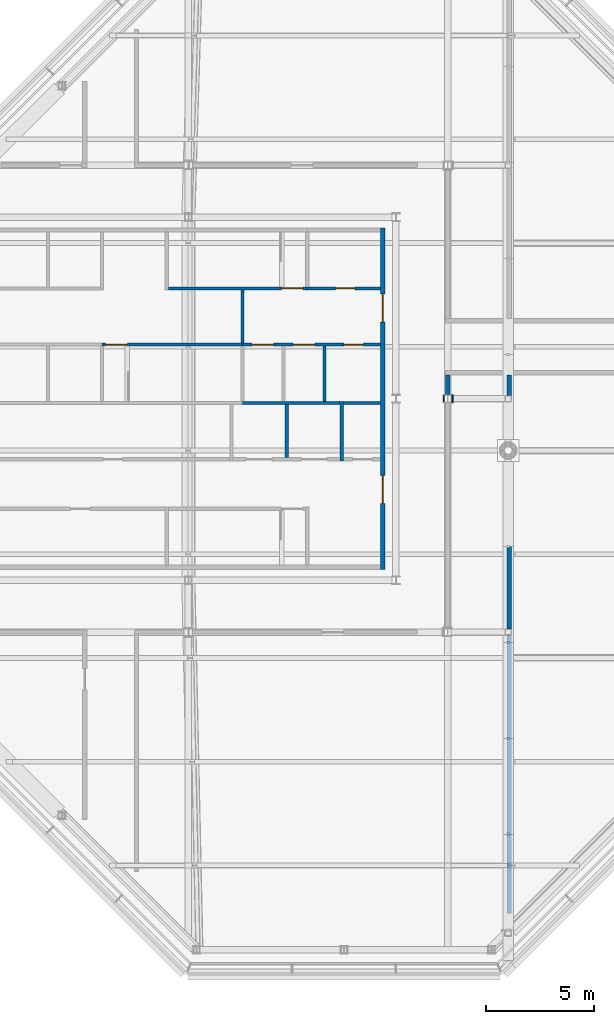
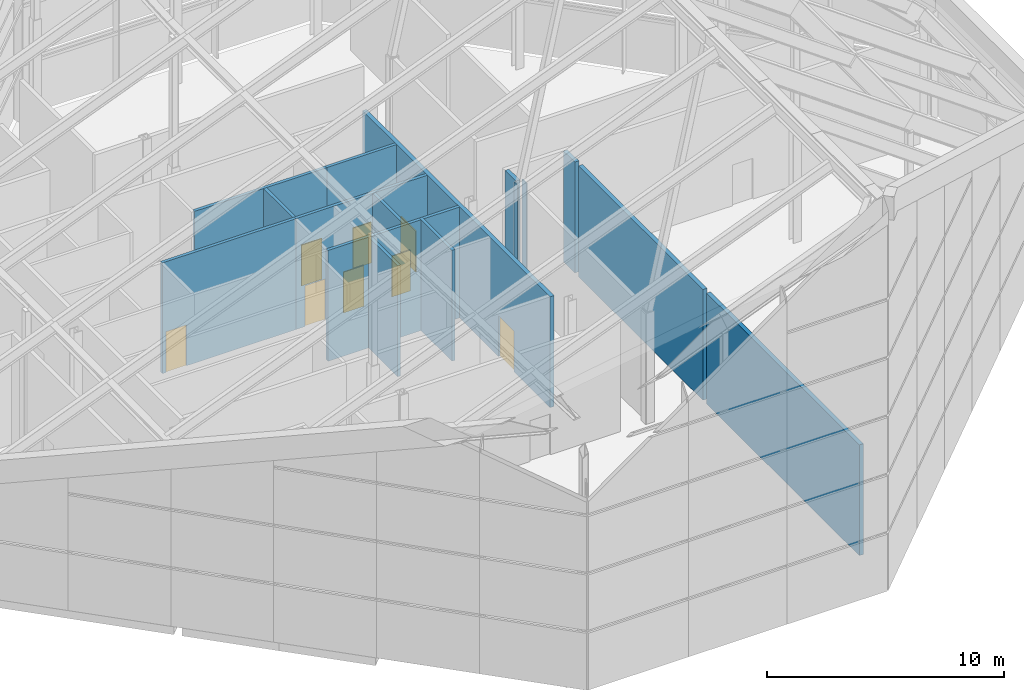
# One storey, part 18 of 21: 17 walls, 8 doors, 8 openings.
"""IFC4 building model written with IfcOpenShell, lengths in metres."""

from ifc_helpers import new_model, si_unit, direction, frame, frame_2d, origin, place, context, subcontext, project, spatial, rectangle, extrude, material, layer, layer_set, type_object, element, fill, save


model = new_model("IFC4")

# Units and contexts
model_context = context("Model", 3, precision=1e-05, world=origin(), true_north=direction((0.0, 1.0)))
body_context = subcontext(model_context, "Body", "Model", "MODEL_VIEW")
ifc_project = project(units=[si_unit("LENGTHUNIT", "METRE"), si_unit("AREAUNIT", "SQUARE_METRE"), si_unit("VOLUMEUNIT", "CUBIC_METRE"), si_unit("PLANEANGLEUNIT", "RADIAN"), si_unit("MASSUNIT", "GRAM", prefix="KILO")], contexts=[model_context])

# Site, building, storey
site_placement = place(None, origin())
site = spatial("IfcSite", under=ifc_project, at=site_placement, CompositionType="ELEMENT")
building_placement = place(site_placement, origin())
building = spatial("IfcBuilding", under=site, at=building_placement, Name="Cairn Pilgrim Tower", CompositionType="ELEMENT")
storey_placement = place(building_placement, frame((0.0, 0.0, 295.800048828125)))
storey = spatial("IfcBuildingStorey", under=building, at=storey_placement, Name="L76", CompositionType="ELEMENT", Elevation=295.800048828125)

# Wall, openings, doors
ifc_material_1 = material(Name="Concrete C32/40", Category="concrete")
ifc_layer_1 = layer(ifc_material_1, 0.199951171875)
ifc_layer_set_1 = layer_set([ifc_layer_1], Name="CORE OUTER WALL 200 EI 120")
wall_type_1 = type_object("IfcWallType", Name="CORE OUTER WALL 200 EI 120", PredefinedType="SOLIDWALL", material=ifc_layer_set_1)
wall_1_placement = place(storey_placement, frame((16.199951171875, -5.5, 0.0), z_axis=(0.0, 0.0, 1.0), x_axis=(0.0, 1.0, 0.0)))
wall_1 = element("IfcWall", 1, at=wall_1_placement, inside=storey, type_object=wall_type_1, Name="CW:L76:V29", PredefinedType="SOLIDWALL", context=body_context, shape_type="SweptSolid", body=[
    extrude(rectangle(XDim=15.800048828125, YDim=0.199951171875, at=frame_2d((7.89990234375, 0.0))), origin(), (0.0, 0.0, 1.0), 5.699951171875),
])
opening_1_placement = place(wall_1_placement, frame((3.050048828125, 0.0, 0.0)))
opening_1 = element("IfcOpeningElement", 2, at=opening_1_placement, cuts=wall_1, Name="Opening CD-E1", PredefinedType="OPENING", context=body_context, shape_type="SweptSolid", body=[
    extrude(rectangle(XDim=1.300048828125, YDim=2.10009765625, at=frame_2d((0.64990234375, 1.050048828125))), frame((0.0, 0.10986328125, 0.0), z_axis=(0.0, -1.0, 0.0), x_axis=(1.0, 0.0, 0.0)), (0.0, 0.0, 1.0), 0.219970703125),
])
opening_2_placement = place(wall_1_placement, frame((11.449951171875, 0.0, 0.0)))
opening_2 = element("IfcOpeningElement", 3, at=opening_2_placement, cuts=wall_1, Name="Opening CD-E2", PredefinedType="OPENING", context=body_context, shape_type="SweptSolid", body=[
    extrude(rectangle(XDim=1.300048828125, YDim=2.10009765625, at=frame_2d((0.64990234375, 1.050048828125))), frame((0.0, 0.10986328125, 0.0), z_axis=(0.0, -1.0, 0.0), x_axis=(1.0, 0.0, 0.0)), (0.0, 0.0, 1.0), 0.219970703125),
])
ifc_material_2 = material(Name="Painted steel", Category="steel")
door_type_1 = type_object("IfcDoorType", Name="CORE LOBBY DOOR 1300x2100", OperationType="DOUBLE_DOOR_SINGLE_SWING", PredefinedType="DOOR", material=ifc_material_2)
door_1_placement = place(opening_1_placement, origin())
door_1 = element("IfcDoor", 4, at=door_1_placement, inside=storey, type_object=door_type_1, Name="CD-E1", OperationType="DOUBLE_DOOR_SINGLE_SWING", OverallHeight=2.10009765625, OverallWidth=1.300048828125, PredefinedType="DOOR", context=body_context, shape_type="SweptSolid", body=[
    extrude(rectangle(XDim=1.300048828125, YDim=2.10009765625, at=frame_2d((0.64990234375, 1.050048828125))), frame((0.0, 0.02490234375, 0.0), z_axis=(0.0, -1.0, 0.0), x_axis=(1.0, 0.0, 0.0)), (0.0, 0.0, 1.0), 0.050048828125),
])
fill(opening_1, door_1)
door_2_placement = place(opening_2_placement, origin())
door_2 = element("IfcDoor", 5, at=door_2_placement, inside=storey, type_object=door_type_1, Name="CD-E2", OperationType="DOUBLE_DOOR_SINGLE_SWING", OverallHeight=2.10009765625, OverallWidth=1.300048828125, PredefinedType="DOOR", context=body_context, shape_type="SweptSolid", body=[
    extrude(rectangle(XDim=1.300048828125, YDim=2.10009765625, at=frame_2d((0.64990234375, 1.050048828125))), frame((0.0, 0.02490234375, 0.0), z_axis=(0.0, -1.0, 0.0), x_axis=(1.0, 0.0, 0.0)), (0.0, 0.0, 1.0), 0.050048828125),
])
fill(opening_2, door_2)

# Walls
ifc_layer_2 = layer(ifc_material_1, 0.14990234375)
ifc_layer_set_2 = layer_set([ifc_layer_2], Name="CORE PARTITION 150 EI 60")
wall_type_2 = type_object("IfcWallType", Name="CORE PARTITION 150 EI 60", PredefinedType="PARTITIONING", material=ifc_layer_set_2)
wall_2_placement = place(storey_placement, frame((14.375, 2.199951171875, 0.0), z_axis=(0.0, 0.0, 1.0), x_axis=(1.0, 0.0, 0.0)))
element("IfcWall", 6, at=wall_2_placement, inside=storey, type_object=wall_type_2, Name="CW:L76:H08", PredefinedType="PARTITIONING", context=body_context, shape_type="SweptSolid", body=[
    extrude(rectangle(XDim=1.72509765625, YDim=0.14990234375, at=frame_2d((0.862548828125, 0.0))), origin(), (0.0, 0.0, 1.0), 5.699951171875),
])
ifc_layer_3 = layer(ifc_material_1, 0.14990234375)
ifc_layer_set_3 = layer_set([ifc_layer_3], Name="CORE SHAFT WALL 150 EI 120")
wall_type_3 = type_object("IfcWallType", Name="CORE SHAFT WALL 150 EI 120", PredefinedType="SOLIDWALL", material=ifc_layer_set_3)
wall_3_placement = place(storey_placement, frame((9.699951171875, 2.199951171875, 0.0), z_axis=(0.0, 0.0, 1.0), x_axis=(1.0, 0.0, 0.0)))
element("IfcWall", 7, at=wall_3_placement, inside=storey, type_object=wall_type_3, Name="CW:L76:H07-3", PredefinedType="SOLIDWALL", context=body_context, shape_type="SweptSolid", body=[
    extrude(rectangle(XDim=4.525146484375, YDim=0.14990234375, at=frame_2d((2.2626953125, 0.0))), origin(), (0.0, 0.0, 1.0), 5.699951171875),
])

# Wall, openings, doors
wall_4_placement = place(storey_placement, frame((9.699951171875, 4.89990234375, 0.0), z_axis=(0.0, 0.0, 1.0), x_axis=(1.0, 0.0, 0.0)))
wall_4 = element("IfcWall", 8, at=wall_4_placement, inside=storey, type_object=wall_type_3, Name="CW:L76:H09-3", PredefinedType="SOLIDWALL", context=body_context, shape_type="SweptSolid", body=[
    extrude(rectangle(XDim=6.400146484375, YDim=0.14990234375, at=frame_2d((3.2001953125, 0.0))), origin(), (0.0, 0.0, 1.0), 5.699951171875),
])
opening_3_placement = place(wall_4_placement, frame((0.449951171875, 0.0, 0.0)))
opening_3 = element("IfcOpeningElement", 9, at=opening_3_placement, cuts=wall_4, Name="Opening LD-FF1", PredefinedType="OPENING", context=body_context, shape_type="SweptSolid", body=[
    extrude(rectangle(XDim=1.0, YDim=2.10009765625, at=frame_2d((0.5, 1.050048828125))), frame((0.0, 0.0849609375, 0.0), z_axis=(0.0, -1.0, 0.0), x_axis=(1.0, 0.0, 0.0)), (0.0, 0.0, 1.0), 0.169921875),
])
opening_4_placement = place(wall_4_placement, frame((2.35009765625, 0.0, 0.0)))
opening_4 = element("IfcOpeningElement", 10, at=opening_4_placement, cuts=wall_4, Name="Opening LD-FF2", PredefinedType="OPENING", context=body_context, shape_type="SweptSolid", body=[
    extrude(rectangle(XDim=1.0, YDim=2.10009765625, at=frame_2d((0.5, 1.050048828125))), frame((0.0, 0.0849609375, 0.0), z_axis=(0.0, -1.0, 0.0), x_axis=(1.0, 0.0, 0.0)), (0.0, 0.0, 1.0), 0.169921875),
])
opening_5_placement = place(wall_4_placement, frame((4.699951171875, 0.0, 0.0)))
opening_5 = element("IfcOpeningElement", 11, at=opening_5_placement, cuts=wall_4, Name="Opening RD-R3E", PredefinedType="OPENING", context=body_context, shape_type="SweptSolid", body=[
    extrude(rectangle(XDim=0.89990234375, YDim=2.10009765625, at=frame_2d((0.449951171875, 1.050048828125))), frame((0.0, 0.0849609375, 0.0), z_axis=(0.0, -1.0, 0.0), x_axis=(1.0, 0.0, 0.0)), (0.0, 0.0, 1.0), 0.169921875),
])
ifc_material_3 = material(Name="Stainless steel", Category="steel")
door_type_2 = type_object("IfcDoorType", Name="LIFT LANDING DOOR FIRE 1000x2100", OperationType="DOUBLE_DOOR_SLIDING", PredefinedType="DOOR", material=ifc_material_3)
door_3_placement = place(opening_3_placement, origin())
door_3 = element("IfcDoor", 12, at=door_3_placement, inside=storey, type_object=door_type_2, Name="LANDING DOOR FF1", OperationType="DOUBLE_DOOR_SLIDING", OverallHeight=2.10009765625, OverallWidth=1.0, PredefinedType="DOOR", context=body_context, shape_type="SweptSolid", body=[
    extrude(rectangle(XDim=1.0, YDim=2.10009765625, at=frame_2d((0.5, 1.050048828125))), frame((0.0, 0.02490234375, 0.0), z_axis=(0.0, -1.0, 0.0), x_axis=(1.0, 0.0, 0.0)), (0.0, 0.0, 1.0), 0.050048828125),
])
fill(opening_3, door_3)
door_4_placement = place(opening_4_placement, origin())
door_4 = element("IfcDoor", 13, at=door_4_placement, inside=storey, type_object=door_type_2, Name="LANDING DOOR FF2", OperationType="DOUBLE_DOOR_SLIDING", OverallHeight=2.10009765625, OverallWidth=1.0, PredefinedType="DOOR", context=body_context, shape_type="SweptSolid", body=[
    extrude(rectangle(XDim=1.0, YDim=2.10009765625, at=frame_2d((0.5, 1.050048828125))), frame((0.0, 0.02490234375, 0.0), z_axis=(0.0, -1.0, 0.0), x_axis=(1.0, 0.0, 0.0)), (0.0, 0.0, 1.0), 0.050048828125),
])
fill(opening_4, door_4)
door_type_3 = type_object("IfcDoorType", Name="SERVICE ROOM DOOR 900x2100", OperationType="SINGLE_SWING_LEFT", PredefinedType="DOOR", material=ifc_material_2)
door_5_placement = place(opening_5_placement, origin())
door_5 = element("IfcDoor", 14, at=door_5_placement, inside=storey, type_object=door_type_3, Name="RD-R3E", OperationType="SINGLE_SWING_LEFT", OverallHeight=2.10009765625, OverallWidth=0.89990234375, PredefinedType="DOOR", context=body_context, shape_type="SweptSolid", body=[
    extrude(rectangle(XDim=0.89990234375, YDim=2.10009765625, at=frame_2d((0.449951171875, 1.050048828125))), frame((0.0, 0.02490234375, 0.0), z_axis=(0.0, -1.0, 0.0), x_axis=(1.0, 0.0, 0.0)), (0.0, 0.0, 1.0), 0.050048828125),
])
fill(opening_5, door_5)

# Wall, opening, door
wall_5_placement = place(storey_placement, frame((12.699951171875, 7.5, 0.0), z_axis=(0.0, 0.0, 1.0), x_axis=(1.0, 0.0, 0.0)))
wall_5 = element("IfcWall", 15, at=wall_5_placement, inside=storey, type_object=wall_type_3, Name="CW:L76:H11-2", PredefinedType="SOLIDWALL", context=body_context, shape_type="SweptSolid", body=[
    extrude(rectangle(XDim=3.400146484375, YDim=0.14990234375, at=frame_2d((1.7001953125, 0.0))), origin(), (0.0, 0.0, 1.0), 5.699951171875),
])
opening_6_placement = place(wall_5_placement, frame((1.300048828125, 0.0, 0.0)))
opening_6 = element("IfcOpeningElement", 16, at=opening_6_placement, cuts=wall_5, Name="Opening RD-R4E", PredefinedType="OPENING", context=body_context, shape_type="SweptSolid", body=[
    extrude(rectangle(XDim=0.89990234375, YDim=2.10009765625, at=frame_2d((0.449951171875, 1.050048828125))), frame((0.0, 0.0849609375, 0.0), z_axis=(0.0, -1.0, 0.0), x_axis=(1.0, 0.0, 0.0)), (0.0, 0.0, 1.0), 0.169921875),
])
door_6_placement = place(opening_6_placement, origin())
door_6 = element("IfcDoor", 17, at=door_6_placement, inside=storey, type_object=door_type_3, Name="RD-R4E", OperationType="SINGLE_SWING_RIGHT", OverallHeight=2.10009765625, OverallWidth=0.89990234375, PredefinedType="DOOR", context=body_context, shape_type="SweptSolid", body=[
    extrude(rectangle(XDim=0.89990234375, YDim=2.10009765625, at=frame_2d((0.449951171875, 1.050048828125))), frame((0.0, 0.02490234375, 0.0), z_axis=(0.0, -1.0, 0.0), x_axis=(1.0, 0.0, 0.0)), (0.0, 0.0, 1.0), 0.050048828125),
])
fill(opening_6, door_6)

# Walls
for number, where, z_axis, x_axis, name in (
    (18, (9.699951171875, 4.97509765625, 0.0), (0.0, 0.0, 1.0), (0.0, 1.0, 0.0), "CW:L76:V22"),
    (19, (11.75, -0.324951171875, 0.0), (0.0, 0.0, 1.0), (0.0, 1.0, 0.0), "CW:L76:V24"),
):
    element("IfcWall", number, at=place(storey_placement, frame(where, z_axis=z_axis, x_axis=x_axis)), inside=storey, type_object=wall_type_3, Name=name, PredefinedType="SOLIDWALL", context=body_context, shape_type="SweptSolid", body=[
        extrude(rectangle(XDim=2.449951171875, YDim=0.14990234375, at=frame_2d((1.22509765625, 0.0))), origin(), (0.0, 0.0, 1.0), 5.699951171875),
    ])
wall_6_placement = place(storey_placement, frame((13.5, 2.27490234375, 0.0), z_axis=(0.0, 0.0, 1.0), x_axis=(0.0, 1.0, 0.0)))
element("IfcWall", 20, at=wall_6_placement, inside=storey, type_object=wall_type_3, Name="CW:L76:V27", PredefinedType="SOLIDWALL", context=body_context, shape_type="SweptSolid", body=[
    extrude(rectangle(XDim=2.550048828125, YDim=0.14990234375, at=frame_2d((1.27490234375, 0.0))), origin(), (0.0, 0.0, 1.0), 5.699951171875),
])
wall_7_placement = place(storey_placement, frame((14.300048828125, -0.47509765625, 0.0), z_axis=(0.0, 0.0, 1.0), x_axis=(0.0, 1.0, 0.0)))
element("IfcWall", 21, at=wall_7_placement, inside=storey, type_object=wall_type_3, Name="CW:L76:V28", PredefinedType="SOLIDWALL", context=body_context, shape_type="SweptSolid", body=[
    extrude(rectangle(XDim=2.75, YDim=0.14990234375, at=frame_2d((1.375, 0.0))), origin(), (0.0, 0.0, 1.0), 5.699951171875),
])
ifc_material_4 = material(Name="Gypsum partition")
ifc_layer_4 = layer(ifc_material_4, 0.050048828125)
ifc_layer_set_4 = layer_set([ifc_layer_4], Name="PARTITION 50 DRYWALL EI 120")
wall_type_4 = type_object("IfcWallType", Name="PARTITION 50 DRYWALL EI 120", PredefinedType="PARTITIONING", material=ifc_layer_set_4)
wall_8_placement = place(storey_placement, frame((19.021484375, 2.25, 0.0), z_axis=(0.0, 0.0, 1.0), x_axis=(0.0, 1.0, 0.0)))
element("IfcWall", 22, at=wall_8_placement, inside=storey, type_object=wall_type_4, Name="COLUMN CASING WC02", PredefinedType="PARTITIONING", context=body_context, shape_type="SweptSolid", body=[
    extrude(rectangle(XDim=0.300048828125, YDim=0.050048828125, at=frame_2d((0.14990234375, 0.0))), origin(), (0.0, 0.0, 1.0), 5.699951171875),
])
wall_9_placement = place(storey_placement, frame((19.422119140625, 2.21240234375, 0.0), z_axis=(0.0, 0.0, 1.0), x_axis=(0.0, 1.0, 0.0)))
element("IfcWall", 23, at=wall_9_placement, inside=storey, type_object=wall_type_4, Name="COLUMN CASING WC09", PredefinedType="PARTITIONING", context=body_context, shape_type="SweptSolid", body=[
    extrude(rectangle(XDim=0.375, YDim=0.050048828125, at=frame_2d((0.1875, 0.0))), origin(), (0.0, 0.0, 1.0), 5.699951171875),
])
ifc_layer_5 = layer(ifc_material_4, 0.199951171875)
ifc_layer_set_5 = layer_set([ifc_layer_5], Name="SHAFT WALL 200 GYPSUM EI 120")
wall_type_5 = type_object("IfcWallType", Name="SHAFT WALL 200 GYPSUM EI 120", PredefinedType="PARTITIONING", material=ifc_layer_set_5)
wall_10_placement = place(storey_placement, frame((22.050048828125, -21.428955078125, 0.0), z_axis=(0.0, 0.0, 1.0), x_axis=(0.0, 1.0, 0.0)))
element("IfcWall", 24, at=wall_10_placement, inside=storey, type_object=wall_type_5, Name="PARTITION W001", PredefinedType="PARTITIONING", context=body_context, shape_type="SweptSolid", body=[
    extrude(rectangle(XDim=12.87890625, YDim=0.199951171875, at=frame_2d((6.439453125, 0.0))), origin(), (0.0, 0.0, 1.0), 5.699951171875),
])
wall_11_placement = place(storey_placement, frame((22.050048828125, -8.25, 0.0), z_axis=(0.0, 0.0, 1.0), x_axis=(0.0, 1.0, 0.0)))
element("IfcWall", 25, at=wall_11_placement, inside=storey, type_object=wall_type_5, Name="PARTITION W010", PredefinedType="PARTITIONING", context=body_context, shape_type="SweptSolid", body=[
    extrude(rectangle(XDim=10.5, YDim=0.199951171875, at=frame_2d((5.25, 0.0))), origin(), (0.0, 0.0, 1.0), 5.699951171875),
])
wall_12_placement = place(storey_placement, frame((22.050048828125, 2.550048828125, 0.0), z_axis=(0.0, 0.0, 1.0), x_axis=(0.0, 1.0, 0.0)))
element("IfcWall", 26, at=wall_12_placement, inside=storey, type_object=wall_type_5, Name="PARTITION W013", PredefinedType="PARTITIONING", context=body_context, shape_type="SweptSolid", body=[
    extrude(rectangle(XDim=0.949951171875, YDim=0.199951171875, at=frame_2d((0.47509765625, 0.0))), origin(), (0.0, 0.0, 1.0), 5.699951171875),
])
wall_13_placement = place(storey_placement, frame((19.199951171875, 2.58740234375, 0.0), z_axis=(0.0, 0.0, 1.0), x_axis=(0.0, 1.0, 0.0)))
element("IfcWall", 27, at=wall_13_placement, inside=storey, type_object=wall_type_5, Name="PARTITION W015", PredefinedType="PARTITIONING", context=body_context, shape_type="SweptSolid", body=[
    extrude(rectangle(XDim=0.91259765625, YDim=0.199951171875, at=frame_2d((0.456298828125, 0.0))), origin(), (0.0, 0.0, 1.0), 5.699951171875),
])

# Wall, opening, door
ifc_material_5 = material(Name="Concrete C35/45", Category="concrete")
ifc_layer_6 = layer(ifc_material_5, 0.14990234375)
ifc_layer_set_6 = layer_set([ifc_layer_6], Name="STAIR SHAFT WALL 150 EI 120")
wall_type_6 = type_object("IfcWallType", Name="STAIR SHAFT WALL 150 EI 120", PredefinedType="SOLIDWALL", material=ifc_layer_set_6)
wall_14_placement = place(storey_placement, frame((3.199951171875, 4.89990234375, 0.0), z_axis=(0.0, 0.0, 1.0), x_axis=(1.0, 0.0, 0.0)))
wall_14 = element("IfcWall", 28, at=wall_14_placement, inside=storey, type_object=wall_type_6, Name="CW:L76:H09-2", PredefinedType="SOLIDWALL", context=body_context, shape_type="SweptSolid", body=[
    extrude(rectangle(XDim=6.5, YDim=0.14990234375, at=frame_2d((3.25, 0.0))), origin(), (0.0, 0.0, 1.0), 5.699951171875),
])
opening_7_placement = place(wall_14_placement, frame((0.175048828125, 0.0, 0.0)))
opening_7 = element("IfcOpeningElement", 29, at=opening_7_placement, cuts=wall_14, Name="Opening SD-B", PredefinedType="OPENING", context=body_context, shape_type="SweptSolid", body=[
    extrude(rectangle(XDim=1.0, YDim=2.10009765625, at=frame_2d((0.5, 1.050048828125))), frame((0.0, 0.0849609375, 0.0), z_axis=(0.0, -1.0, 0.0), x_axis=(1.0, 0.0, 0.0)), (0.0, 0.0, 1.0), 0.169921875),
])
door_type_4 = type_object("IfcDoorType", Name="STAIR DOOR FD60S 1000x2100", OperationType="SINGLE_SWING_LEFT", PredefinedType="DOOR", material=ifc_material_2)
door_7_placement = place(opening_7_placement, origin())
door_7 = element("IfcDoor", 30, at=door_7_placement, inside=storey, type_object=door_type_4, Name="SD-B", OperationType="SINGLE_SWING_RIGHT", OverallHeight=2.10009765625, OverallWidth=1.0, PredefinedType="DOOR", context=body_context, shape_type="SweptSolid", body=[
    extrude(rectangle(XDim=1.0, YDim=2.10009765625, at=frame_2d((0.5, 1.050048828125))), frame((0.0, 0.02490234375, 0.0), z_axis=(0.0, -1.0, 0.0), x_axis=(1.0, 0.0, 0.0)), (0.0, 0.0, 1.0), 0.050048828125),
])
fill(opening_7, door_7)

wall_15_placement = place(storey_placement, frame((6.27490234375, 7.5, 0.0), z_axis=(0.0, 0.0, 1.0), x_axis=(1.0, 0.0, 0.0)))
wall_15 = element("IfcWall", 31, at=wall_15_placement, inside=storey, type_object=wall_type_6, Name="CW:L76:H11-1", PredefinedType="SOLIDWALL", context=body_context, shape_type="SweptSolid", body=[
    extrude(rectangle(XDim=6.425048828125, YDim=0.14990234375, at=frame_2d((3.21240234375, 0.0))), origin(), (0.0, 0.0, 1.0), 5.699951171875),
])
opening_8_placement = place(wall_15_placement, frame((5.22509765625, 0.0, 0.0)))
opening_8 = element("IfcOpeningElement", 32, at=opening_8_placement, cuts=wall_15, Name="Opening SD-C", PredefinedType="OPENING", context=body_context, shape_type="SweptSolid", body=[
    extrude(rectangle(XDim=1.0, YDim=2.10009765625, at=frame_2d((0.5, 1.050048828125))), frame((0.0, 0.0849609375, 0.0), z_axis=(0.0, -1.0, 0.0), x_axis=(1.0, 0.0, 0.0)), (0.0, 0.0, 1.0), 0.169921875),
])
door_8_placement = place(opening_8_placement, origin())
door_8 = element("IfcDoor", 33, at=door_8_placement, inside=storey, type_object=door_type_4, Name="SD-C", OperationType="SINGLE_SWING_LEFT", OverallHeight=2.10009765625, OverallWidth=1.0, PredefinedType="DOOR", context=body_context, shape_type="SweptSolid", body=[
    extrude(rectangle(XDim=1.0, YDim=2.10009765625, at=frame_2d((0.5, 1.050048828125))), frame((0.0, 0.02490234375, 0.0), z_axis=(0.0, -1.0, 0.0), x_axis=(1.0, 0.0, 0.0)), (0.0, 0.0, 1.0), 0.050048828125),
])
fill(opening_8, door_8)

save(model, "model.ifc")
